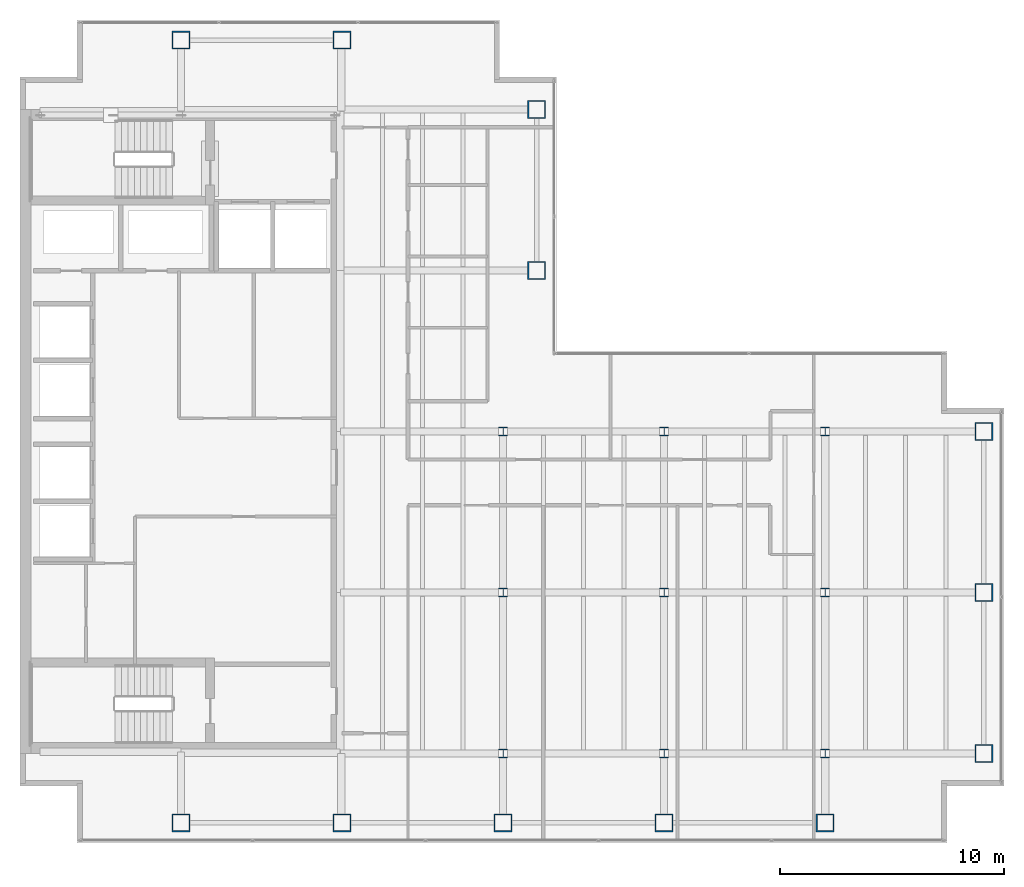
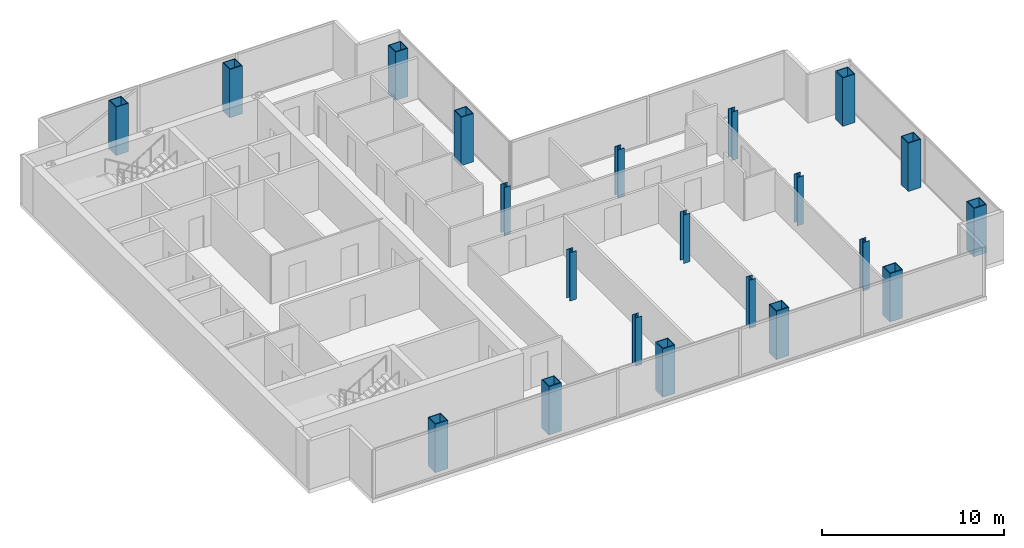
# One storey, part 1 of 23: 21 columns.
"""IFC4 building model written with IfcOpenShell, lengths in metres."""

from ifc_helpers import new_model, si_unit, direction, frame, origin, origin_2d, place, context, subcontext, project, spatial, hollow_rectangle, i_section, extrude, material, material_profile, profile_set, type_object, element, save


model = new_model("IFC4")

# Units and contexts
model_context = context("Model", 3, precision=1e-05, world=origin(), true_north=direction((0.0, 1.0)))
body_context = subcontext(model_context, "Body", "Model", "MODEL_VIEW")
ifc_project = project(units=[si_unit("LENGTHUNIT", "METRE"), si_unit("AREAUNIT", "SQUARE_METRE"), si_unit("VOLUMEUNIT", "CUBIC_METRE"), si_unit("PLANEANGLEUNIT", "RADIAN"), si_unit("MASSUNIT", "GRAM", prefix="KILO")], contexts=[model_context])

# Site, building, storey
site_placement = place(None, origin())
site = spatial("IfcSite", under=ifc_project, at=site_placement, CompositionType="ELEMENT")
building_placement = place(site_placement, origin())
building = spatial("IfcBuilding", under=site, at=building_placement, Name="Cobrela Telecom Tower", CompositionType="ELEMENT")
storey_placement = place(building_placement, frame((0.0, 0.0, 194.25)))
storey = spatial("IfcBuildingStorey", under=building, at=storey_placement, Name="L49", CompositionType="ELEMENT", Elevation=194.25)

# Columns
ifc_material_1 = material(Name="Steel ASTM A992 Grade 50", Category="steel")
ifc_material_profile_1 = material_profile(ifc_material_1, i_section(OverallWidth=0.39892578125, OverallDepth=0.39404296875, WebThickness=0.022705078125, FlangeThickness=0.03662109375, FilletRadius=0.01806640625, at=origin_2d()), Name="W14X193")
ifc_profile_set_1 = profile_set([ifc_material_profile_1], Name="Steel ASTM A992 Grade 50")
column_type_1 = type_object("IfcColumnType", Name="COL-INT-06", PredefinedType="COLUMN", material=ifc_profile_set_1)
for number, where, z_axis, x_axis, name in (
    (1, (21.60009765625, 7.199951171875, 0.0), (0.0, 0.0, 1.0), (1.0, 0.0, 0.0), "L49 Interior Column 06"),
    (2, (21.60009765625, 14.39990234375, 0.0), (0.0, 0.0, 1.0), (1.0, 0.0, 0.0), "L49 Interior Column 07"),
    (3, (21.60009765625, 21.60009765625, 0.0), (0.0, 0.0, 1.0), (1.0, 0.0, 0.0), "L49 Interior Column 08"),
    (4, (28.800048828125, 7.199951171875, 0.0), (0.0, 0.0, 1.0), (1.0, 0.0, 0.0), "L49 Interior Column 12"),
    (5, (28.800048828125, 14.39990234375, 0.0), (0.0, 0.0, 1.0), (1.0, 0.0, 0.0), "L49 Interior Column 13"),
    (6, (28.800048828125, 21.60009765625, 0.0), (0.0, 0.0, 1.0), (1.0, 0.0, 0.0), "L49 Interior Column 14"),
    (7, (36.0, 7.199951171875, 0.0), (0.0, 0.0, 1.0), (1.0, 0.0, 0.0), "L49 Interior Column 16"),
    (8, (36.0, 14.39990234375, 0.0), (0.0, 0.0, 1.0), (1.0, 0.0, 0.0), "L49 Interior Column 17"),
    (9, (36.0, 21.60009765625, 0.0), (0.0, 0.0, 1.0), (1.0, 0.0, 0.0), "L49 Interior Column 18"),
):
    element("IfcColumn", number, at=place(storey_placement, frame(where, z_axis=z_axis, x_axis=x_axis)), inside=storey, type_object=column_type_1, Name=name, PredefinedType="COLUMN", context=body_context, shape_type="SweptSolid", body=[
        extrude(i_section(OverallWidth=0.39892578125, OverallDepth=0.39404296875, WebThickness=0.022705078125, FlangeThickness=0.03662109375, FilletRadius=0.01806640625, at=origin_2d()), origin(), (0.0, 0.0, 1.0), 3.239990234375),
    ])
ifc_material_2 = material(Name="Steel ASTM A572 Grade 50", Category="steel")
ifc_material_profile_2 = material_profile(ifc_material_2, hollow_rectangle(XDim=0.800048828125, YDim=0.800048828125, WallThickness=0.050048828125, at=origin_2d()), Name="BOX 800x800x50")
ifc_profile_set_2 = profile_set([ifc_material_profile_2], Name="Steel ASTM A572 Grade 50")
column_type_2 = type_object("IfcColumnType", Name="COL-MEGA-07", PredefinedType="COLUMN", material=ifc_profile_set_2)
for number, where, z_axis, x_axis, name in (
    (10, (7.199951171875, 4.10009765625, 0.0), (0.0, 0.0, 1.0), (1.0, 0.0, 0.0), "L49 Perimeter Mega-Column 01"),
    (11, (7.199951171875, 39.10009765625, 0.0), (0.0, 0.0, 1.0), (1.0, 0.0, 0.0), "L49 Perimeter Mega-Column 02"),
    (12, (14.39990234375, 4.10009765625, 0.0), (0.0, 0.0, 1.0), (1.0, 0.0, 0.0), "L49 Perimeter Mega-Column 03"),
    (13, (14.39990234375, 39.10009765625, 0.0), (0.0, 0.0, 1.0), (1.0, 0.0, 0.0), "L49 Perimeter Mega-Column 04"),
    (14, (21.60009765625, 4.10009765625, 0.0), (0.0, 0.0, 1.0), (1.0, 0.0, 0.0), "L49 Perimeter Mega-Column 05"),
    (15, (23.10009765625, 28.800048828125, 0.0), (0.0, 0.0, 1.0), (1.0, 0.0, 0.0), "L49 Perimeter Mega-Column 09"),
    (16, (23.10009765625, 36.0, 0.0), (0.0, 0.0, 1.0), (1.0, 0.0, 0.0), "L49 Perimeter Mega-Column 10"),
    (17, (28.800048828125, 4.10009765625, 0.0), (0.0, 0.0, 1.0), (1.0, 0.0, 0.0), "L49 Perimeter Mega-Column 11"),
    (18, (36.0, 4.10009765625, 0.0), (0.0, 0.0, 1.0), (1.0, 0.0, 0.0), "L49 Perimeter Mega-Column 15"),
    (19, (43.10009765625, 7.199951171875, 0.0), (0.0, 0.0, 1.0), (1.0, 0.0, 0.0), "L49 Perimeter Mega-Column 19"),
    (20, (43.10009765625, 14.39990234375, 0.0), (0.0, 0.0, 1.0), (1.0, 0.0, 0.0), "L49 Perimeter Mega-Column 20"),
    (21, (43.10009765625, 21.60009765625, 0.0), (0.0, 0.0, 1.0), (1.0, 0.0, 0.0), "L49 Perimeter Mega-Column 21"),
):
    element("IfcColumn", number, at=place(storey_placement, frame(where, z_axis=z_axis, x_axis=x_axis)), inside=storey, type_object=column_type_2, Name=name, PredefinedType="COLUMN", context=body_context, shape_type="SweptSolid", body=[
        extrude(hollow_rectangle(XDim=0.800048828125, YDim=0.800048828125, WallThickness=0.050048828125, at=origin_2d()), origin(), (0.0, 0.0, 1.0), 3.239990234375),
    ])

save(model, "model.ifc")
